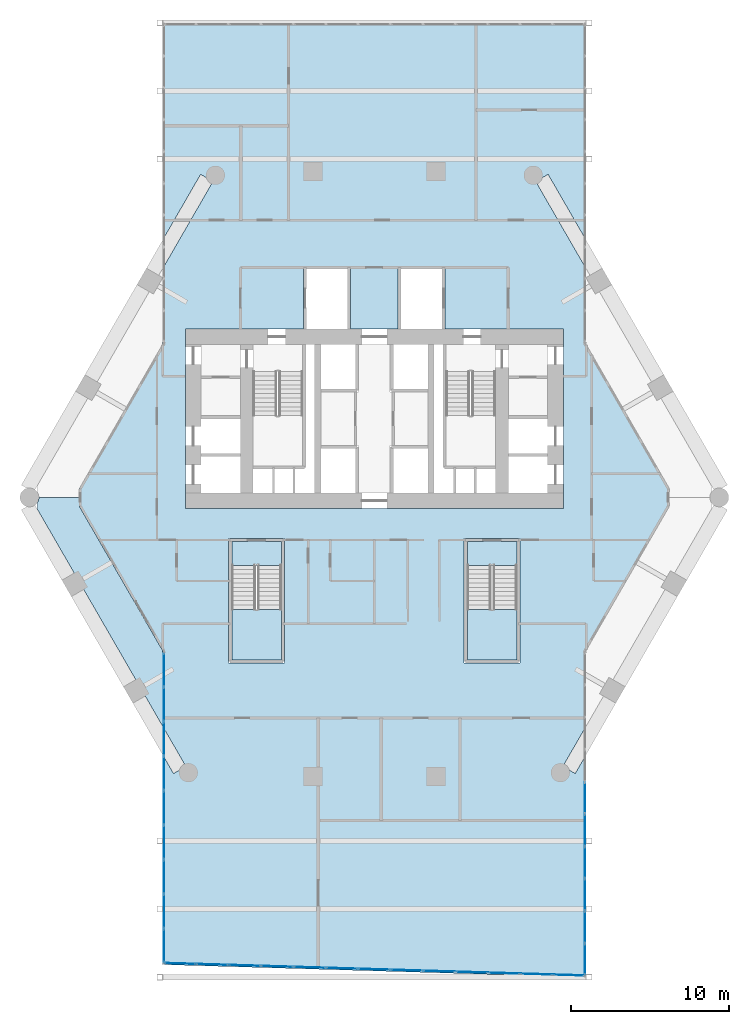
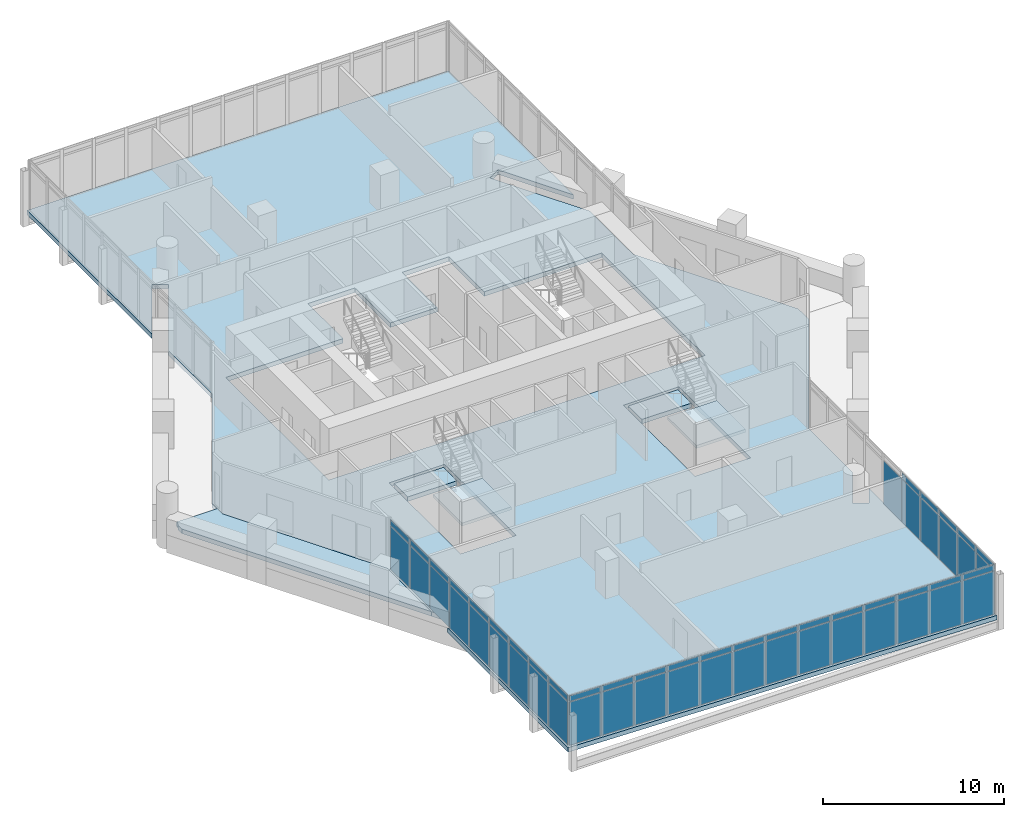
# One storey, part 20 of 28: 55 plates, 6 slabs, 5 elements without a shape of their own.
"""IFC4 building model written with IfcOpenShell, lengths in metres."""

from ifc_helpers import new_model, si_unit, direction, frame, origin, origin_2d, place, context, subcontext, project, spatial, polyline, rectangle, outline, extrude, material, layer, layer_set, type_object, element, aggregate, save


model = new_model("IFC4")

# Units and contexts
model_context = context("Model", 3, precision=1e-05, world=origin(), true_north=direction((0.0, 1.0)))
body_context = subcontext(model_context, "Body", "Model", "MODEL_VIEW")
ifc_project = project(units=[si_unit("LENGTHUNIT", "METRE"), si_unit("AREAUNIT", "SQUARE_METRE"), si_unit("VOLUMEUNIT", "CUBIC_METRE"), si_unit("PLANEANGLEUNIT", "RADIAN"), si_unit("MASSUNIT", "GRAM", prefix="KILO")], contexts=[model_context])

# Site, building, storey
site_placement = place(None, origin())
site = spatial("IfcSite", under=ifc_project, at=site_placement, CompositionType="ELEMENT")
building_placement = place(site_placement, origin())
building = spatial("IfcBuilding", under=site, at=building_placement, Name="Ostrander Bayou Hotel Tower", CompositionType="ELEMENT")
storey_placement = place(building_placement, frame((0.0, 0.0, 134.75)))
storey = spatial("IfcBuildingStorey", under=building, at=storey_placement, Name="L33", CompositionType="ELEMENT", Elevation=134.75)

# Curtain wall, plates
ifc_material_1 = material(Name="Aluminium and clear glass", Category="aluminium")
curtain_wall_type = type_object("IfcCurtainWallType", Name="CW-BAR glazed wall", PredefinedType="NOTDEFINED", material=ifc_material_1)
curtain_wall_1_placement = place(storey_placement, origin())
curtain_wall_1 = element("IfcCurtainWall", 1, at=curtain_wall_1_placement, inside=storey, type_object=curtain_wall_type, Name="CW-BAR L33:SB3S:E", PredefinedType="NOTDEFINED")
ifc_material_2 = material(Name="Clear laminated glass", Category="glass")
ifc_layer_1 = layer(ifc_material_2, 0.028076171875)
ifc_layer_set_1 = layer_set([ifc_layer_1], Name="CW-BR glazing panel 28 mm")
plate_type = type_object("IfcPlateType", Name="CW-BR glazing panel 28 mm", PredefinedType="CURTAIN_PANEL", material=ifc_layer_set_1)
plate_1_placement = place(storey_placement, frame((-13.3671875, -11.95703125, 0.06005859375), z_axis=(0.0, 0.0, 1.0), x_axis=(0.0, -1.0, 0.0)))
plate_1 = element("IfcPlate", 2, at=plate_1_placement, type_object=plate_type, Name="CW-BAR panel 1.1", PredefinedType="CURTAIN_PANEL", context=body_context, shape_type="SweptSolid", body=[
    extrude(rectangle(XDim=2.099365234375, YDim=0.028076171875, at=origin_2d()), origin(), (0.0, 0.0, 1.0), 2.909912109375),
])
plate_2_placement = place(storey_placement, frame((-13.3671875, -11.95703125, 3.02978515625), z_axis=(0.0, 0.0, 1.0), x_axis=(0.0, -1.0, 0.0)))
plate_2 = element("IfcPlate", 3, at=plate_2_placement, type_object=plate_type, Name="CW-BAR panel 1.2", PredefinedType="CURTAIN_PANEL", context=body_context, shape_type="SweptSolid", body=[
    extrude(rectangle(XDim=2.099365234375, YDim=0.028076171875, at=origin_2d()), origin(), (0.0, 0.0, 1.0), 0.360107421875),
])
plate_3_placement = place(storey_placement, frame((-13.3671875, -14.13134765625, 0.06005859375), z_axis=(0.0, 0.0, 1.0), x_axis=(0.0, -1.0, 0.0)))
plate_3 = element("IfcPlate", 4, at=plate_3_placement, type_object=plate_type, Name="CW-BAR panel 2.1", PredefinedType="CURTAIN_PANEL", context=body_context, shape_type="SweptSolid", body=[
    extrude(rectangle(XDim=2.12939453125, YDim=0.028076171875, at=origin_2d()), origin(), (0.0, 0.0, 1.0), 2.909912109375),
])
plate_4_placement = place(storey_placement, frame((-13.3671875, -14.13134765625, 3.02978515625), z_axis=(0.0, 0.0, 1.0), x_axis=(0.0, -1.0, 0.0)))
plate_4 = element("IfcPlate", 5, at=plate_4_placement, type_object=plate_type, Name="CW-BAR panel 2.2", PredefinedType="CURTAIN_PANEL", context=body_context, shape_type="SweptSolid", body=[
    extrude(rectangle(XDim=2.12939453125, YDim=0.028076171875, at=origin_2d()), origin(), (0.0, 0.0, 1.0), 0.360107421875),
])
plate_5_placement = place(storey_placement, frame((-13.3671875, -16.32080078125, 0.06005859375), z_axis=(0.0, 0.0, 1.0), x_axis=(0.0, -1.0, 0.0)))
plate_5 = element("IfcPlate", 6, at=plate_5_placement, type_object=plate_type, Name="CW-BAR panel 3.1", PredefinedType="CURTAIN_PANEL", context=body_context, shape_type="SweptSolid", body=[
    extrude(rectangle(XDim=2.12939453125, YDim=0.028076171875, at=origin_2d()), origin(), (0.0, 0.0, 1.0), 2.909912109375),
])
plate_6_placement = place(storey_placement, frame((-13.3671875, -16.32080078125, 3.02978515625), z_axis=(0.0, 0.0, 1.0), x_axis=(0.0, -1.0, 0.0)))
plate_6 = element("IfcPlate", 7, at=plate_6_placement, type_object=plate_type, Name="CW-BAR panel 3.2", PredefinedType="CURTAIN_PANEL", context=body_context, shape_type="SweptSolid", body=[
    extrude(rectangle(XDim=2.12939453125, YDim=0.028076171875, at=origin_2d()), origin(), (0.0, 0.0, 1.0), 0.360107421875),
])
plate_7_placement = place(storey_placement, frame((-13.3671875, -18.51025390625, 0.06005859375), z_axis=(0.0, 0.0, 1.0), x_axis=(0.0, -1.0, 0.0)))
plate_7 = element("IfcPlate", 8, at=plate_7_placement, type_object=plate_type, Name="CW-BAR panel 4.1", PredefinedType="CURTAIN_PANEL", context=body_context, shape_type="SweptSolid", body=[
    extrude(rectangle(XDim=2.12939453125, YDim=0.028076171875, at=origin_2d()), origin(), (0.0, 0.0, 1.0), 2.909912109375),
])
plate_8_placement = place(storey_placement, frame((-13.3671875, -18.51025390625, 3.02978515625), z_axis=(0.0, 0.0, 1.0), x_axis=(0.0, -1.0, 0.0)))
plate_8 = element("IfcPlate", 9, at=plate_8_placement, type_object=plate_type, Name="CW-BAR panel 4.2", PredefinedType="CURTAIN_PANEL", context=body_context, shape_type="SweptSolid", body=[
    extrude(rectangle(XDim=2.12939453125, YDim=0.028076171875, at=origin_2d()), origin(), (0.0, 0.0, 1.0), 0.360107421875),
])
plate_9_placement = place(storey_placement, frame((-13.3671875, -20.69970703125, 0.06005859375), z_axis=(0.0, 0.0, 1.0), x_axis=(0.0, -1.0, 0.0)))
plate_9 = element("IfcPlate", 10, at=plate_9_placement, type_object=plate_type, Name="CW-BAR panel 5.1", PredefinedType="CURTAIN_PANEL", context=body_context, shape_type="SweptSolid", body=[
    extrude(rectangle(XDim=2.12939453125, YDim=0.028076171875, at=origin_2d()), origin(), (0.0, 0.0, 1.0), 2.909912109375),
])
plate_10_placement = place(storey_placement, frame((-13.3671875, -20.69970703125, 3.02978515625), z_axis=(0.0, 0.0, 1.0), x_axis=(0.0, -1.0, 0.0)))
plate_10 = element("IfcPlate", 11, at=plate_10_placement, type_object=plate_type, Name="CW-BAR panel 5.2", PredefinedType="CURTAIN_PANEL", context=body_context, shape_type="SweptSolid", body=[
    extrude(rectangle(XDim=2.12939453125, YDim=0.028076171875, at=origin_2d()), origin(), (0.0, 0.0, 1.0), 0.360107421875),
])
plate_11_placement = place(storey_placement, frame((-13.3671875, -22.88916015625, 0.06005859375), z_axis=(0.0, 0.0, 1.0), x_axis=(0.0, -1.0, 0.0)))
plate_11 = element("IfcPlate", 12, at=plate_11_placement, type_object=plate_type, Name="CW-BAR panel 6.1", PredefinedType="CURTAIN_PANEL", context=body_context, shape_type="SweptSolid", body=[
    extrude(rectangle(XDim=2.12939453125, YDim=0.028076171875, at=origin_2d()), origin(), (0.0, 0.0, 1.0), 2.909912109375),
])
plate_12_placement = place(storey_placement, frame((-13.3671875, -22.88916015625, 3.02978515625), z_axis=(0.0, 0.0, 1.0), x_axis=(0.0, -1.0, 0.0)))
plate_12 = element("IfcPlate", 13, at=plate_12_placement, type_object=plate_type, Name="CW-BAR panel 6.2", PredefinedType="CURTAIN_PANEL", context=body_context, shape_type="SweptSolid", body=[
    extrude(rectangle(XDim=2.12939453125, YDim=0.028076171875, at=origin_2d()), origin(), (0.0, 0.0, 1.0), 0.360107421875),
])
plate_13_placement = place(storey_placement, frame((-13.3671875, -25.07861328125, 0.06005859375), z_axis=(0.0, 0.0, 1.0), x_axis=(0.0, -1.0, 0.0)))
plate_13 = element("IfcPlate", 14, at=plate_13_placement, type_object=plate_type, Name="CW-BAR panel 7.1", PredefinedType="CURTAIN_PANEL", context=body_context, shape_type="SweptSolid", body=[
    extrude(rectangle(XDim=2.12939453125, YDim=0.028076171875, at=origin_2d()), origin(), (0.0, 0.0, 1.0), 2.909912109375),
])
plate_14_placement = place(storey_placement, frame((-13.3671875, -25.07861328125, 3.02978515625), z_axis=(0.0, 0.0, 1.0), x_axis=(0.0, -1.0, 0.0)))
plate_14 = element("IfcPlate", 15, at=plate_14_placement, type_object=plate_type, Name="CW-BAR panel 7.2", PredefinedType="CURTAIN_PANEL", context=body_context, shape_type="SweptSolid", body=[
    extrude(rectangle(XDim=2.12939453125, YDim=0.028076171875, at=origin_2d()), origin(), (0.0, 0.0, 1.0), 0.360107421875),
])
plate_15_placement = place(storey_placement, frame((-13.3671875, -27.26806640625, 0.06005859375), z_axis=(0.0, 0.0, 1.0), x_axis=(0.0, -1.0, 0.0)))
plate_15 = element("IfcPlate", 16, at=plate_15_placement, type_object=plate_type, Name="CW-BAR panel 8.1", PredefinedType="CURTAIN_PANEL", context=body_context, shape_type="SweptSolid", body=[
    extrude(rectangle(XDim=2.12939453125, YDim=0.028076171875, at=origin_2d()), origin(), (0.0, 0.0, 1.0), 2.909912109375),
])
plate_16_placement = place(storey_placement, frame((-13.3671875, -27.26806640625, 3.02978515625), z_axis=(0.0, 0.0, 1.0), x_axis=(0.0, -1.0, 0.0)))
plate_16 = element("IfcPlate", 17, at=plate_16_placement, type_object=plate_type, Name="CW-BAR panel 8.2", PredefinedType="CURTAIN_PANEL", context=body_context, shape_type="SweptSolid", body=[
    extrude(rectangle(XDim=2.12939453125, YDim=0.028076171875, at=origin_2d()), origin(), (0.0, 0.0, 1.0), 0.360107421875),
])
plate_17_placement = place(storey_placement, frame((-13.3671875, -29.4423828125, 0.06005859375), z_axis=(0.0, 0.0, 1.0), x_axis=(0.0, -1.0, 0.0)))
plate_17 = element("IfcPlate", 18, at=plate_17_placement, type_object=plate_type, Name="CW-BAR panel 9.1", PredefinedType="CURTAIN_PANEL", context=body_context, shape_type="SweptSolid", body=[
    extrude(rectangle(XDim=2.099365234375, YDim=0.028076171875, at=origin_2d()), origin(), (0.0, 0.0, 1.0), 2.909912109375),
])
plate_18_placement = place(storey_placement, frame((-13.3671875, -29.4423828125, 3.02978515625), z_axis=(0.0, 0.0, 1.0), x_axis=(0.0, -1.0, 0.0)))
plate_18 = element("IfcPlate", 19, at=plate_18_placement, type_object=plate_type, Name="CW-BAR panel 9.2", PredefinedType="CURTAIN_PANEL", context=body_context, shape_type="SweptSolid", body=[
    extrude(rectangle(XDim=2.099365234375, YDim=0.028076171875, at=origin_2d()), origin(), (0.0, 0.0, 1.0), 0.360107421875),
])
aggregate(curtain_wall_1, [plate_1, plate_2, plate_3, plate_4, plate_5, plate_6, plate_7, plate_8, plate_9, plate_10, plate_11, plate_12, plate_13, plate_14, plate_15, plate_16, plate_17, plate_18])

curtain_wall_2_placement = place(storey_placement, origin())
curtain_wall_2 = element("IfcCurtainWall", 20, at=curtain_wall_2_placement, inside=storey, type_object=curtain_wall_type, Name="CW-BAR L33:SB3S:T", PredefinedType="NOTDEFINED")
plate_19_placement = place(storey_placement, frame((-12.323974609375, -30.583251953125, 0.06005859375), z_axis=(0.0, 0.0, 1.0), x_axis=(0.999557482631, -0.029746242041, 0.0)))
plate_19 = element("IfcPlate", 21, at=plate_19_placement, type_object=plate_type, Name="CW-BAR panel 1.1", PredefinedType="CURTAIN_PANEL", context=body_context, shape_type="SweptSolid", body=[
    extrude(rectangle(XDim=1.96728515625, YDim=0.028076171875, at=origin_2d()), origin(), (0.0, 0.0, 1.0), 2.909912109375),
])
plate_20_placement = place(storey_placement, frame((-12.323974609375, -30.583251953125, 3.02978515625), z_axis=(0.0, 0.0, 1.0), x_axis=(0.999557482631, -0.029746242041, 0.0)))
plate_20 = element("IfcPlate", 22, at=plate_20_placement, type_object=plate_type, Name="CW-BAR panel 1.2", PredefinedType="CURTAIN_PANEL", context=body_context, shape_type="SweptSolid", body=[
    extrude(rectangle(XDim=1.96728515625, YDim=0.028076171875, at=origin_2d()), origin(), (0.0, 0.0, 1.0), 0.360107421875),
])
plate_21_placement = place(storey_placement, frame((-10.282470703125, -30.64404296875, 0.06005859375), z_axis=(0.0, 0.0, 1.0), x_axis=(0.999557482631, -0.029746242041, 0.0)))
plate_21 = element("IfcPlate", 23, at=plate_21_placement, type_object=plate_type, Name="CW-BAR panel 2.1", PredefinedType="CURTAIN_PANEL", context=body_context, shape_type="SweptSolid", body=[
    extrude(rectangle(XDim=1.997314453125, YDim=0.028076171875, at=origin_2d()), origin(), (0.0, 0.0, 1.0), 2.909912109375),
])
plate_22_placement = place(storey_placement, frame((-10.282470703125, -30.64404296875, 3.02978515625), z_axis=(0.0, 0.0, 1.0), x_axis=(0.999557482631, -0.029746242041, 0.0)))
plate_22 = element("IfcPlate", 24, at=plate_22_placement, type_object=plate_type, Name="CW-BAR panel 2.2", PredefinedType="CURTAIN_PANEL", context=body_context, shape_type="SweptSolid", body=[
    extrude(rectangle(XDim=1.997314453125, YDim=0.028076171875, at=origin_2d()), origin(), (0.0, 0.0, 1.0), 0.360107421875),
])
plate_23_placement = place(storey_placement, frame((-8.22607421875, -30.705078125, 0.06005859375), z_axis=(0.0, 0.0, 1.0), x_axis=(0.999557482631, -0.029746242041, 0.0)))
plate_23 = element("IfcPlate", 25, at=plate_23_placement, type_object=plate_type, Name="CW-BAR panel 3.1", PredefinedType="CURTAIN_PANEL", context=body_context, shape_type="SweptSolid", body=[
    extrude(rectangle(XDim=1.997314453125, YDim=0.028076171875, at=origin_2d()), origin(), (0.0, 0.0, 1.0), 2.909912109375),
])
plate_24_placement = place(storey_placement, frame((-8.22607421875, -30.705078125, 3.02978515625), z_axis=(0.0, 0.0, 1.0), x_axis=(0.999557482631, -0.029746242041, 0.0)))
plate_24 = element("IfcPlate", 26, at=plate_24_placement, type_object=plate_type, Name="CW-BAR panel 3.2", PredefinedType="CURTAIN_PANEL", context=body_context, shape_type="SweptSolid", body=[
    extrude(rectangle(XDim=1.997314453125, YDim=0.028076171875, at=origin_2d()), origin(), (0.0, 0.0, 1.0), 0.360107421875),
])
plate_25_placement = place(storey_placement, frame((-6.16943359375, -30.766357421875, 0.06005859375), z_axis=(0.0, 0.0, 1.0), x_axis=(0.999557482631, -0.029746242041, 0.0)))
plate_25 = element("IfcPlate", 27, at=plate_25_placement, type_object=plate_type, Name="CW-BAR panel 4.1", PredefinedType="CURTAIN_PANEL", context=body_context, shape_type="SweptSolid", body=[
    extrude(rectangle(XDim=1.997314453125, YDim=0.028076171875, at=origin_2d()), origin(), (0.0, 0.0, 1.0), 2.909912109375),
])
plate_26_placement = place(storey_placement, frame((-6.16943359375, -30.766357421875, 3.02978515625), z_axis=(0.0, 0.0, 1.0), x_axis=(0.999557482631, -0.029746242041, 0.0)))
plate_26 = element("IfcPlate", 28, at=plate_26_placement, type_object=plate_type, Name="CW-BAR panel 4.2", PredefinedType="CURTAIN_PANEL", context=body_context, shape_type="SweptSolid", body=[
    extrude(rectangle(XDim=1.997314453125, YDim=0.028076171875, at=origin_2d()), origin(), (0.0, 0.0, 1.0), 0.360107421875),
])
plate_27_placement = place(storey_placement, frame((-4.113037109375, -30.82763671875, 0.06005859375), z_axis=(0.0, 0.0, 1.0), x_axis=(0.999557482631, -0.029746242041, 0.0)))
plate_27 = element("IfcPlate", 29, at=plate_27_placement, type_object=plate_type, Name="CW-BAR panel 5.1", PredefinedType="CURTAIN_PANEL", context=body_context, shape_type="SweptSolid", body=[
    extrude(rectangle(XDim=1.997314453125, YDim=0.028076171875, at=origin_2d()), origin(), (0.0, 0.0, 1.0), 2.909912109375),
])
plate_28_placement = place(storey_placement, frame((-4.113037109375, -30.82763671875, 3.02978515625), z_axis=(0.0, 0.0, 1.0), x_axis=(0.999557482631, -0.029746242041, 0.0)))
plate_28 = element("IfcPlate", 30, at=plate_28_placement, type_object=plate_type, Name="CW-BAR panel 5.2", PredefinedType="CURTAIN_PANEL", context=body_context, shape_type="SweptSolid", body=[
    extrude(rectangle(XDim=1.997314453125, YDim=0.028076171875, at=origin_2d()), origin(), (0.0, 0.0, 1.0), 0.360107421875),
])
plate_29_placement = place(storey_placement, frame((-2.056396484375, -30.888916015625, 0.06005859375), z_axis=(0.0, 0.0, 1.0), x_axis=(0.999557482631, -0.029746242041, 0.0)))
plate_29 = element("IfcPlate", 31, at=plate_29_placement, type_object=plate_type, Name="CW-BAR panel 6.1", PredefinedType="CURTAIN_PANEL", context=body_context, shape_type="SweptSolid", body=[
    extrude(rectangle(XDim=1.997314453125, YDim=0.028076171875, at=origin_2d()), origin(), (0.0, 0.0, 1.0), 2.909912109375),
])
plate_30_placement = place(storey_placement, frame((-2.056396484375, -30.888916015625, 3.02978515625), z_axis=(0.0, 0.0, 1.0), x_axis=(0.999557482631, -0.029746242041, 0.0)))
plate_30 = element("IfcPlate", 32, at=plate_30_placement, type_object=plate_type, Name="CW-BAR panel 6.2", PredefinedType="CURTAIN_PANEL", context=body_context, shape_type="SweptSolid", body=[
    extrude(rectangle(XDim=1.997314453125, YDim=0.028076171875, at=origin_2d()), origin(), (0.0, 0.0, 1.0), 0.360107421875),
])
plate_31_placement = place(storey_placement, frame((0.0, -30.949951171875, 0.06005859375), z_axis=(0.0, 0.0, 1.0), x_axis=(0.999557482631, -0.029746242041, 0.0)))
plate_31 = element("IfcPlate", 33, at=plate_31_placement, type_object=plate_type, Name="CW-BAR panel 7.1", PredefinedType="CURTAIN_PANEL", context=body_context, shape_type="SweptSolid", body=[
    extrude(rectangle(XDim=1.997314453125, YDim=0.028076171875, at=origin_2d()), origin(), (0.0, 0.0, 1.0), 2.909912109375),
])
plate_32_placement = place(storey_placement, frame((0.0, -30.949951171875, 3.02978515625), z_axis=(0.0, 0.0, 1.0), x_axis=(0.999557482631, -0.029746242041, 0.0)))
plate_32 = element("IfcPlate", 34, at=plate_32_placement, type_object=plate_type, Name="CW-BAR panel 7.2", PredefinedType="CURTAIN_PANEL", context=body_context, shape_type="SweptSolid", body=[
    extrude(rectangle(XDim=1.997314453125, YDim=0.028076171875, at=origin_2d()), origin(), (0.0, 0.0, 1.0), 0.360107421875),
])
plate_33_placement = place(storey_placement, frame((2.056396484375, -31.01123046875, 0.06005859375), z_axis=(0.0, 0.0, 1.0), x_axis=(0.999557482631, -0.029746242041, 0.0)))
plate_33 = element("IfcPlate", 35, at=plate_33_placement, type_object=plate_type, Name="CW-BAR panel 8.1", PredefinedType="CURTAIN_PANEL", context=body_context, shape_type="SweptSolid", body=[
    extrude(rectangle(XDim=1.997314453125, YDim=0.028076171875, at=origin_2d()), origin(), (0.0, 0.0, 1.0), 2.909912109375),
])
plate_34_placement = place(storey_placement, frame((2.056396484375, -31.01123046875, 3.02978515625), z_axis=(0.0, 0.0, 1.0), x_axis=(0.999557482631, -0.029746242041, 0.0)))
plate_34 = element("IfcPlate", 36, at=plate_34_placement, type_object=plate_type, Name="CW-BAR panel 8.2", PredefinedType="CURTAIN_PANEL", context=body_context, shape_type="SweptSolid", body=[
    extrude(rectangle(XDim=1.997314453125, YDim=0.028076171875, at=origin_2d()), origin(), (0.0, 0.0, 1.0), 0.360107421875),
])
plate_35_placement = place(storey_placement, frame((4.113037109375, -31.072509765625, 0.06005859375), z_axis=(0.0, 0.0, 1.0), x_axis=(0.999557482631, -0.029746242041, 0.0)))
plate_35 = element("IfcPlate", 37, at=plate_35_placement, type_object=plate_type, Name="CW-BAR panel 9.1", PredefinedType="CURTAIN_PANEL", context=body_context, shape_type="SweptSolid", body=[
    extrude(rectangle(XDim=1.997314453125, YDim=0.028076171875, at=origin_2d()), origin(), (0.0, 0.0, 1.0), 2.909912109375),
])
plate_36_placement = place(storey_placement, frame((4.113037109375, -31.072509765625, 3.02978515625), z_axis=(0.0, 0.0, 1.0), x_axis=(0.999557482631, -0.029746242041, 0.0)))
plate_36 = element("IfcPlate", 38, at=plate_36_placement, type_object=plate_type, Name="CW-BAR panel 9.2", PredefinedType="CURTAIN_PANEL", context=body_context, shape_type="SweptSolid", body=[
    extrude(rectangle(XDim=1.997314453125, YDim=0.028076171875, at=origin_2d()), origin(), (0.0, 0.0, 1.0), 0.360107421875),
])
plate_37_placement = place(storey_placement, frame((6.16943359375, -31.133544921875, 0.06005859375), z_axis=(0.0, 0.0, 1.0), x_axis=(0.999557482631, -0.029746242041, 0.0)))
plate_37 = element("IfcPlate", 39, at=plate_37_placement, type_object=plate_type, Name="CW-BAR panel 10.1", PredefinedType="CURTAIN_PANEL", context=body_context, shape_type="SweptSolid", body=[
    extrude(rectangle(XDim=1.997314453125, YDim=0.028076171875, at=origin_2d()), origin(), (0.0, 0.0, 1.0), 2.909912109375),
])
plate_38_placement = place(storey_placement, frame((6.16943359375, -31.133544921875, 3.02978515625), z_axis=(0.0, 0.0, 1.0), x_axis=(0.999557482631, -0.029746242041, 0.0)))
plate_38 = element("IfcPlate", 40, at=plate_38_placement, type_object=plate_type, Name="CW-BAR panel 10.2", PredefinedType="CURTAIN_PANEL", context=body_context, shape_type="SweptSolid", body=[
    extrude(rectangle(XDim=1.997314453125, YDim=0.028076171875, at=origin_2d()), origin(), (0.0, 0.0, 1.0), 0.360107421875),
])
plate_39_placement = place(storey_placement, frame((8.22607421875, -31.19482421875, 0.06005859375), z_axis=(0.0, 0.0, 1.0), x_axis=(0.999557482631, -0.029746242041, 0.0)))
plate_39 = element("IfcPlate", 41, at=plate_39_placement, type_object=plate_type, Name="CW-BAR panel 11.1", PredefinedType="CURTAIN_PANEL", context=body_context, shape_type="SweptSolid", body=[
    extrude(rectangle(XDim=1.997314453125, YDim=0.028076171875, at=origin_2d()), origin(), (0.0, 0.0, 1.0), 2.909912109375),
])
plate_40_placement = place(storey_placement, frame((8.22607421875, -31.19482421875, 3.02978515625), z_axis=(0.0, 0.0, 1.0), x_axis=(0.999557482631, -0.029746242041, 0.0)))
plate_40 = element("IfcPlate", 42, at=plate_40_placement, type_object=plate_type, Name="CW-BAR panel 11.2", PredefinedType="CURTAIN_PANEL", context=body_context, shape_type="SweptSolid", body=[
    extrude(rectangle(XDim=1.997314453125, YDim=0.028076171875, at=origin_2d()), origin(), (0.0, 0.0, 1.0), 0.360107421875),
])
plate_41_placement = place(storey_placement, frame((10.282470703125, -31.256103515625, 0.06005859375), z_axis=(0.0, 0.0, 1.0), x_axis=(0.999557482631, -0.029746242041, 0.0)))
plate_41 = element("IfcPlate", 43, at=plate_41_placement, type_object=plate_type, Name="CW-BAR panel 12.1", PredefinedType="CURTAIN_PANEL", context=body_context, shape_type="SweptSolid", body=[
    extrude(rectangle(XDim=1.997314453125, YDim=0.028076171875, at=origin_2d()), origin(), (0.0, 0.0, 1.0), 2.909912109375),
])
plate_42_placement = place(storey_placement, frame((10.282470703125, -31.256103515625, 3.02978515625), z_axis=(0.0, 0.0, 1.0), x_axis=(0.999557482631, -0.029746242041, 0.0)))
plate_42 = element("IfcPlate", 44, at=plate_42_placement, type_object=plate_type, Name="CW-BAR panel 12.2", PredefinedType="CURTAIN_PANEL", context=body_context, shape_type="SweptSolid", body=[
    extrude(rectangle(XDim=1.997314453125, YDim=0.028076171875, at=origin_2d()), origin(), (0.0, 0.0, 1.0), 0.360107421875),
])
plate_43_placement = place(storey_placement, frame((12.323974609375, -31.316650390625, 0.06005859375), z_axis=(0.0, 0.0, 1.0), x_axis=(0.999557482631, -0.029746242041, 0.0)))
plate_43 = element("IfcPlate", 45, at=plate_43_placement, type_object=plate_type, Name="CW-BAR panel 13.1", PredefinedType="CURTAIN_PANEL", context=body_context, shape_type="SweptSolid", body=[
    extrude(rectangle(XDim=1.96728515625, YDim=0.028076171875, at=origin_2d()), origin(), (0.0, 0.0, 1.0), 2.909912109375),
])
plate_44_placement = place(storey_placement, frame((12.323974609375, -31.316650390625, 3.02978515625), z_axis=(0.0, 0.0, 1.0), x_axis=(0.999557482631, -0.029746242041, 0.0)))
plate_44 = element("IfcPlate", 46, at=plate_44_placement, type_object=plate_type, Name="CW-BAR panel 13.2", PredefinedType="CURTAIN_PANEL", context=body_context, shape_type="SweptSolid", body=[
    extrude(rectangle(XDim=1.96728515625, YDim=0.028076171875, at=origin_2d()), origin(), (0.0, 0.0, 1.0), 0.360107421875),
])
aggregate(curtain_wall_2, [plate_19, plate_20, plate_21, plate_22, plate_23, plate_24, plate_25, plate_26, plate_27, plate_28, plate_29, plate_30, plate_31, plate_32, plate_33, plate_34, plate_35, plate_36, plate_37, plate_38, plate_39, plate_40, plate_41, plate_42, plate_43, plate_44])

curtain_wall_3_placement = place(storey_placement, origin())
curtain_wall_3 = element("IfcCurtainWall", 47, at=curtain_wall_3_placement, inside=storey, type_object=curtain_wall_type, Name="CW-BAR L33:SB3S:W", PredefinedType="NOTDEFINED")
plate_45_placement = place(storey_placement, frame((13.3671875, -20.072509765625, 0.06005859375), z_axis=(0.0, 0.0, 1.0), x_axis=(0.0, -1.0, 0.0)))
plate_45 = element("IfcPlate", 48, at=plate_45_placement, type_object=plate_type, Name="CW-BAR panel 5.1", PredefinedType="CURTAIN_PANEL", context=body_context, shape_type="SweptSolid", body=[
    extrude(rectangle(XDim=1.989990234375, YDim=0.028076171875, at=origin_2d()), origin(), (0.0, 0.0, 1.0), 2.909912109375),
])
plate_46_placement = place(storey_placement, frame((13.3671875, -22.12255859375, 0.06005859375), z_axis=(0.0, 0.0, 1.0), x_axis=(0.0, -1.0, 0.0)))
plate_46 = element("IfcPlate", 49, at=plate_46_placement, type_object=plate_type, Name="CW-BAR panel 6.1", PredefinedType="CURTAIN_PANEL", context=body_context, shape_type="SweptSolid", body=[
    extrude(rectangle(XDim=1.989990234375, YDim=0.028076171875, at=origin_2d()), origin(), (0.0, 0.0, 1.0), 2.909912109375),
])
plate_47_placement = place(storey_placement, frame((13.3671875, -22.12255859375, 3.02978515625), z_axis=(0.0, 0.0, 1.0), x_axis=(0.0, -1.0, 0.0)))
plate_47 = element("IfcPlate", 50, at=plate_47_placement, type_object=plate_type, Name="CW-BAR panel 6.2", PredefinedType="CURTAIN_PANEL", context=body_context, shape_type="SweptSolid", body=[
    extrude(rectangle(XDim=1.989990234375, YDim=0.028076171875, at=origin_2d()), origin(), (0.0, 0.0, 1.0), 0.360107421875),
])
plate_48_placement = place(storey_placement, frame((13.3671875, -24.172607421875, 0.06005859375), z_axis=(0.0, 0.0, 1.0), x_axis=(0.0, -1.0, 0.0)))
plate_48 = element("IfcPlate", 51, at=plate_48_placement, type_object=plate_type, Name="CW-BAR panel 7.1", PredefinedType="CURTAIN_PANEL", context=body_context, shape_type="SweptSolid", body=[
    extrude(rectangle(XDim=1.989990234375, YDim=0.028076171875, at=origin_2d()), origin(), (0.0, 0.0, 1.0), 2.909912109375),
])
plate_49_placement = place(storey_placement, frame((13.3671875, -24.172607421875, 3.02978515625), z_axis=(0.0, 0.0, 1.0), x_axis=(0.0, -1.0, 0.0)))
plate_49 = element("IfcPlate", 52, at=plate_49_placement, type_object=plate_type, Name="CW-BAR panel 7.2", PredefinedType="CURTAIN_PANEL", context=body_context, shape_type="SweptSolid", body=[
    extrude(rectangle(XDim=1.989990234375, YDim=0.028076171875, at=origin_2d()), origin(), (0.0, 0.0, 1.0), 0.360107421875),
])
plate_50_placement = place(storey_placement, frame((13.3671875, -26.22265625, 0.06005859375), z_axis=(0.0, 0.0, 1.0), x_axis=(0.0, -1.0, 0.0)))
plate_50 = element("IfcPlate", 53, at=plate_50_placement, type_object=plate_type, Name="CW-BAR panel 8.1", PredefinedType="CURTAIN_PANEL", context=body_context, shape_type="SweptSolid", body=[
    extrude(rectangle(XDim=1.989990234375, YDim=0.028076171875, at=origin_2d()), origin(), (0.0, 0.0, 1.0), 2.909912109375),
])
plate_51_placement = place(storey_placement, frame((13.3671875, -26.22265625, 3.02978515625), z_axis=(0.0, 0.0, 1.0), x_axis=(0.0, -1.0, 0.0)))
plate_51 = element("IfcPlate", 54, at=plate_51_placement, type_object=plate_type, Name="CW-BAR panel 8.2", PredefinedType="CURTAIN_PANEL", context=body_context, shape_type="SweptSolid", body=[
    extrude(rectangle(XDim=1.989990234375, YDim=0.028076171875, at=origin_2d()), origin(), (0.0, 0.0, 1.0), 0.360107421875),
])
plate_52_placement = place(storey_placement, frame((13.3671875, -28.272705078125, 0.06005859375), z_axis=(0.0, 0.0, 1.0), x_axis=(0.0, -1.0, 0.0)))
plate_52 = element("IfcPlate", 55, at=plate_52_placement, type_object=plate_type, Name="CW-BAR panel 9.1", PredefinedType="CURTAIN_PANEL", context=body_context, shape_type="SweptSolid", body=[
    extrude(rectangle(XDim=1.989990234375, YDim=0.028076171875, at=origin_2d()), origin(), (0.0, 0.0, 1.0), 2.909912109375),
])
plate_53_placement = place(storey_placement, frame((13.3671875, -28.272705078125, 3.02978515625), z_axis=(0.0, 0.0, 1.0), x_axis=(0.0, -1.0, 0.0)))
plate_53 = element("IfcPlate", 56, at=plate_53_placement, type_object=plate_type, Name="CW-BAR panel 9.2", PredefinedType="CURTAIN_PANEL", context=body_context, shape_type="SweptSolid", body=[
    extrude(rectangle(XDim=1.989990234375, YDim=0.028076171875, at=origin_2d()), origin(), (0.0, 0.0, 1.0), 0.360107421875),
])
plate_54_placement = place(storey_placement, frame((13.3671875, -30.307861328125, 0.06005859375), z_axis=(0.0, 0.0, 1.0), x_axis=(0.0, -1.0, 0.0)))
plate_54 = element("IfcPlate", 57, at=plate_54_placement, type_object=plate_type, Name="CW-BAR panel 10.1", PredefinedType="CURTAIN_PANEL", context=body_context, shape_type="SweptSolid", body=[
    extrude(rectangle(XDim=1.9599609375, YDim=0.028076171875, at=origin_2d()), origin(), (0.0, 0.0, 1.0), 2.909912109375),
])
plate_55_placement = place(storey_placement, frame((13.3671875, -30.307861328125, 3.02978515625), z_axis=(0.0, 0.0, 1.0), x_axis=(0.0, -1.0, 0.0)))
plate_55 = element("IfcPlate", 58, at=plate_55_placement, type_object=plate_type, Name="CW-BAR panel 10.2", PredefinedType="CURTAIN_PANEL", context=body_context, shape_type="SweptSolid", body=[
    extrude(rectangle(XDim=1.9599609375, YDim=0.028076171875, at=origin_2d()), origin(), (0.0, 0.0, 1.0), 0.360107421875),
])
aggregate(curtain_wall_3, [plate_45, plate_46, plate_47, plate_48, plate_49, plate_50, plate_51, plate_52, plate_53, plate_54, plate_55])

# Slabs
ifc_material_3 = material(Name="Concrete f'c 40 MPa", Category="concrete")
ifc_layer_2 = layer(ifc_material_3, 0.300048828125)
ifc_layer_set_2 = layer_set([ifc_layer_2], Name="SL1 floor slab 300 mm f'c 40 MPa")
slab_type_1 = type_object("IfcSlabType", Name="SL1 floor slab 300 mm f'c 40 MPa", PredefinedType="FLOOR", material=ifc_layer_set_2)
slab_1_placement = place(storey_placement, frame((0.0, 0.0, -0.300048828125)))
element("IfcSlab", 59, at=slab_1_placement, inside=storey, type_object=slab_type_1, Name="SL1 L33 1", PredefinedType="FLOOR", context=body_context, shape_type="SweptSolid", body=[
    extrude(outline(polyline([(-12.748779296875, -18.5185546875), (-11.96923828125, -18.068603515625), (-13.442138671875, -15.517333984375), (-13.442138671875, -10.71728515625), (-18.710205078125, -1.5927734375), (-18.710205078125, -0.392822265625), (-13.442138671875, 8.731689453125), (-13.442138671875, 13.53173828125), (-10.249755859375, 19.061279296875), (-11.029052734375, 19.511474609375), (-13.442138671875, 15.331787109375), (-13.442138671875, 29.13720703125), (13.442138671875, 29.13720703125), (13.442138671875, 15.331787109375), (11.029052734375, 19.511474609375), (10.249755859375, 19.061279296875), (13.442138671875, 13.53173828125), (13.442138671875, 8.731689453125), (18.710205078125, -0.392822265625), (18.710205078125, -1.5927734375), (13.442138671875, -10.71728515625), (13.442138671875, -15.517333984375), (11.96923828125, -18.068603515625), (12.748779296875, -18.5185546875), (13.442138671875, -17.3173828125), (13.442138671875, -31.449951171875), (-13.442138671875, -30.64990234375), (-13.442138671875, -17.3173828125), (-12.748779296875, -18.5185546875)]), holes=[polyline([(-12.0, -1.699951171875), (12.0, -1.699951171875), (12.0, 9.699951171875), (4.5, 9.699951171875), (4.5, 13.60009765625), (1.5, 13.60009765625), (1.5, 9.699951171875), (-1.5, 9.699951171875), (-1.5, 13.60009765625), (-4.5, 13.60009765625), (-4.5, 9.699951171875), (-12.0, 9.699951171875), (-12.0, -1.699951171875)]), polyline([(9.25, -3.60009765625), (5.699951171875, -3.60009765625), (5.699951171875, -11.5), (9.25, -11.5), (9.25, -3.60009765625)]), polyline([(-5.699951171875, -3.60009765625), (-9.25, -3.60009765625), (-9.25, -11.5), (-5.699951171875, -11.5), (-5.699951171875, -3.60009765625)])]), origin(), (0.0, 0.0, 1.0), 0.300048828125),
])
slab_2_placement = place(storey_placement, frame((0.0, 0.0, -0.300048828125)))
element("IfcSlab", 60, at=slab_2_placement, inside=storey, type_object=slab_type_1, Name="cslab:L33:006", PredefinedType="FLOOR", context=body_context, shape_type="SweptSolid", body=[
    extrude(outline(polyline([(9.050048828125, -5.300048828125), (9.050048828125, -3.800048828125), (5.89990234375, -3.800048828125), (5.89990234375, -5.300048828125), (9.050048828125, -5.300048828125)])), origin(), (0.0, 0.0, 1.0), 0.300048828125),
])
slab_3_placement = place(storey_placement, frame((0.0, 0.0, -0.300048828125)))
element("IfcSlab", 61, at=slab_3_placement, inside=storey, type_object=slab_type_1, Name="cslab:L33:007", PredefinedType="FLOOR", context=body_context, shape_type="SweptSolid", body=[
    extrude(outline(polyline([(-5.89990234375, -5.300048828125), (-5.89990234375, -3.800048828125), (-9.050048828125, -3.800048828125), (-9.050048828125, -5.300048828125), (-5.89990234375, -5.300048828125)])), origin(), (0.0, 0.0, 1.0), 0.300048828125),
])
ifc_material_4 = material(Name="Concrete f'c 40 MPa", Category="concrete")
ifc_layer_3 = layer(ifc_material_4, 0.300048828125)
ifc_layer_set_3 = layer_set([ifc_layer_3], Name="SL4 loggia slab 300 mm f'c 40 MPa")
slab_type_2 = type_object("IfcSlabType", Name="SL4 loggia slab 300 mm f'c 40 MPa", PredefinedType="FLOOR", material=ifc_layer_set_3)
slab_4_placement = place(storey_placement, frame((0.0, 0.0, -0.300048828125)))
element("IfcSlab", 62, at=slab_4_placement, inside=storey, type_object=slab_type_2, Name="SL4 LOGGIA L33 SW 1", PredefinedType="FLOOR", context=body_context, shape_type="SweptSolid", body=[
    extrude(outline(polyline([(-13.442138671875, -15.517333984375), (-14.5625, -13.576904296875), (-15.132568359375, -12.589599609375), (-18.46923828125, -6.810302734375), (-19.039306640625, -5.822998046875), (-19.673095703125, -4.725341796875), (-21.39501953125, -1.742919921875), (-21.39501953125, -1.322265625), (-21.341552734375, -1.222412109375), (-21.3076171875, -1.10986328125), (-21.2958984375, -0.992919921875), (-18.710205078125, -0.992919921875), (-18.710205078125, -1.5927734375), (-13.442138671875, -10.71728515625), (-13.442138671875, -15.517333984375)])), origin(), (0.0, 0.0, 1.0), 0.300048828125),
])

# Stair, slab
ifc_material_5 = material(Name="Concrete f'c 45 MPa", Category="concrete")
stair_type = type_object("IfcStairType", Name="ST1 exit stair 1500 mm f'c 45 MPa", PredefinedType="HALF_TURN_STAIR", material=ifc_material_5)
stair_1_placement = place(storey_placement, origin())
stair_1 = element("IfcStair", 63, at=stair_1_placement, inside=storey, type_object=stair_type, Name="L33 exit stair C", PredefinedType="HALF_TURN_STAIR")
ifc_material_6 = material(Name="Concrete f'c 45 MPa", Category="concrete")
ifc_layer_4 = layer(ifc_material_6, 0.199951171875)
ifc_layer_set_4 = layer_set([ifc_layer_4], Name="SL8 stair landing 200 mm f'c 45 MPa")
slab_type_3 = type_object("IfcSlabType", Name="SL8 stair landing 200 mm f'c 45 MPa", PredefinedType="LANDING", material=ifc_layer_set_4)
slab_5_placement = place(storey_placement, frame((0.0, 0.0, 1.675048828125)))
slab_5 = element("IfcSlab", 64, at=slab_5_placement, type_object=slab_type_3, Name="STC landing 1", PredefinedType="LANDING", context=body_context, shape_type="SweptSolid", body=[
    extrude(outline(polyline([(5.89990234375, -8.10009765625), (5.89990234375, -11.300048828125), (9.050048828125, -11.300048828125), (9.050048828125, -8.10009765625), (5.89990234375, -8.10009765625)])), origin(), (0.0, 0.0, 1.0), 0.199951171875),
])
aggregate(stair_1, [slab_5])

stair_2_placement = place(storey_placement, origin())
stair_2 = element("IfcStair", 65, at=stair_2_placement, inside=storey, type_object=stair_type, Name="L33 exit stair D", PredefinedType="HALF_TURN_STAIR")
slab_6_placement = place(storey_placement, frame((0.0, 0.0, 1.675048828125)))
slab_6 = element("IfcSlab", 66, at=slab_6_placement, type_object=slab_type_3, Name="STD landing 1", PredefinedType="LANDING", context=body_context, shape_type="SweptSolid", body=[
    extrude(outline(polyline([(-9.050048828125, -8.10009765625), (-9.050048828125, -11.300048828125), (-5.89990234375, -11.300048828125), (-5.89990234375, -8.10009765625), (-9.050048828125, -8.10009765625)])), origin(), (0.0, 0.0, 1.0), 0.199951171875),
])
aggregate(stair_2, [slab_6])

save(model, "model.ifc")
